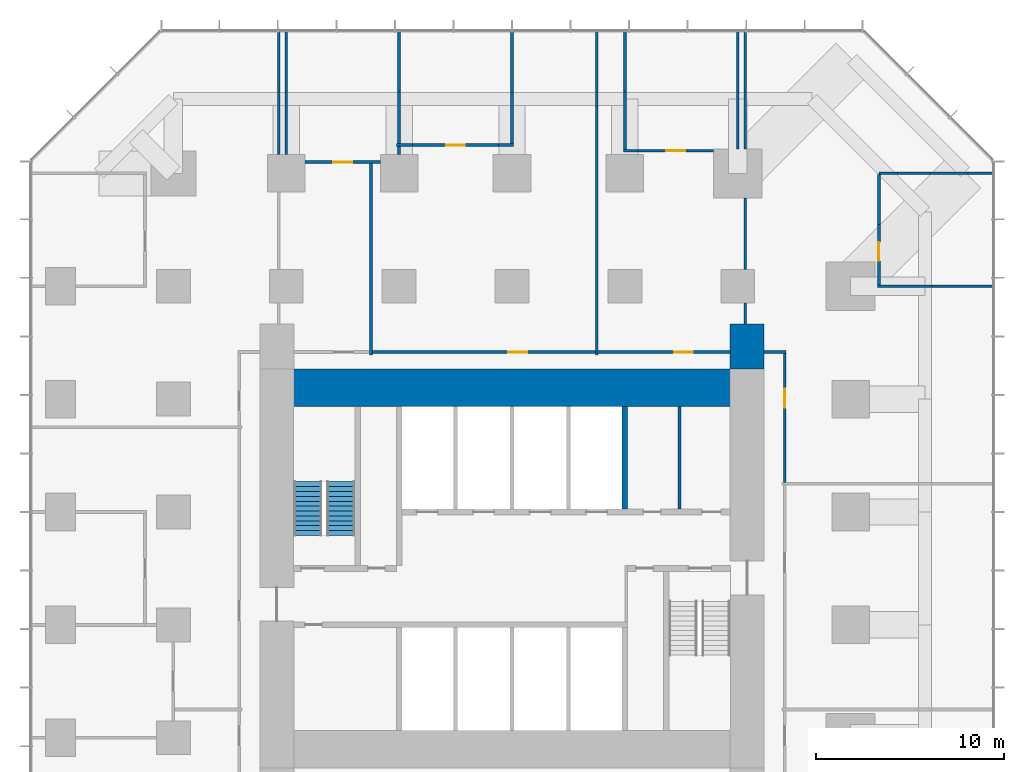
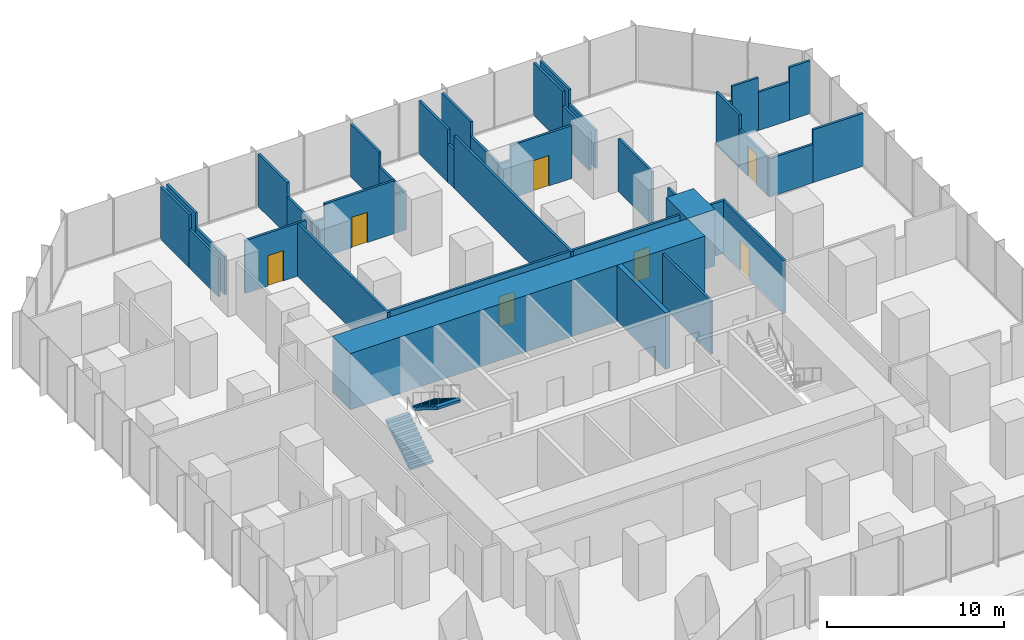
# One storey, part 10 of 12: 43 walls, 7 doors, 2 stair flights, 7 openings, 1 element without a shape of its own.
"""IFC4 building model written with IfcOpenShell, lengths in metres."""

from ifc_helpers import new_model, si_unit, direction, frame, frame_2d, origin, place, context, subcontext, project, spatial, polyline, rectangle, outline, extrude, material, layer, layer_set, type_object, element, fill, aggregate, save


model = new_model("IFC4")

# Units and contexts
model_context = context("Model", 3, precision=1e-05, world=origin(), true_north=direction((0.0, 1.0)))
body_context = subcontext(model_context, "Body", "Model", "MODEL_VIEW")
ifc_project = project(units=[si_unit("LENGTHUNIT", "METRE"), si_unit("AREAUNIT", "SQUARE_METRE"), si_unit("VOLUMEUNIT", "CUBIC_METRE"), si_unit("PLANEANGLEUNIT", "RADIAN"), si_unit("MASSUNIT", "GRAM", prefix="KILO")], contexts=[model_context])

# Site, building, storey
site_placement = place(None, origin())
site = spatial("IfcSite", under=ifc_project, at=site_placement, CompositionType="ELEMENT")
building_placement = place(site_placement, origin())
building = spatial("IfcBuilding", under=site, at=building_placement, Name="Highveld Stack Headquarters", CompositionType="ELEMENT")
storey_placement = place(building_placement, frame((0.0, 0.0, 65.0)))
storey = spatial("IfcBuildingStorey", under=building, at=storey_placement, Name="L15", CompositionType="ELEMENT", Elevation=65.0)

# Walls
ifc_material_1 = material(Name="Concrete C60/75", Category="concrete")
ifc_layer_1 = layer(ifc_material_1, 2.0)
ifc_layer_set_1 = layer_set([ifc_layer_1], Name="Concrete C60/75")
wall_type_1 = type_object("IfcWallType", Name="CORE WALL 2000 C60/75", PredefinedType="SHEAR", material=ifc_layer_set_1)
wall_1_placement = place(storey_placement, frame((-5.60009765625, 12.60009765625, 0.0), z_axis=(0.0, 0.0, 1.0), x_axis=(1.0, 0.0, 0.0)))
element("IfcWall", 1, at=wall_1_placement, inside=storey, type_object=wall_type_1, Name="Core wall N L15", PredefinedType="SHEAR", context=body_context, shape_type="SweptSolid", body=[
    extrude(rectangle(XDim=23.2001953125, YDim=2.0, at=frame_2d((11.60009765625, 0.0))), origin(), (0.0, 0.0, 1.0), 3.89990234375),
])
ifc_material_2 = material(Name="Concrete C60/75", Category="concrete")
ifc_layer_2 = layer(ifc_material_2, 0.300048828125)
ifc_layer_set_2 = layer_set([ifc_layer_2], Name="Concrete C60/75")
wall_type_2 = type_object("IfcWallType", Name="CORE WALL 300 C60/75", PredefinedType="SHEAR", material=ifc_layer_set_2)
wall_2_placement = place(storey_placement, frame((12.0, 6.14990234375, 0.0), z_axis=(0.0, 0.0, 1.0), x_axis=(0.0, 1.0, 0.0)))
element("IfcWall", 2, at=wall_2_placement, inside=storey, type_object=wall_type_2, Name="Core wall I-X12N L15", PredefinedType="SHEAR", context=body_context, shape_type="SweptSolid", body=[
    extrude(rectangle(XDim=5.4501953125, YDim=0.300048828125, at=frame_2d((2.72509765625, 0.0))), origin(), (0.0, 0.0, 1.0), 3.89990234375),
])
ifc_material_3 = material(Name="Concrete C60/75", Category="concrete")
ifc_layer_3 = layer(ifc_material_3, 1.800048828125)
ifc_layer_set_3 = layer_set([ifc_layer_3], Name="Concrete C60/75")
wall_type_3 = type_object("IfcWallType", Name="CORE WING WALL 1800 C60/75", PredefinedType="SHEAR", material=ifc_layer_set_3)
wall_3_placement = place(storey_placement, frame((18.5, 13.60009765625, 0.0), z_axis=(0.0, 0.0, 1.0), x_axis=(0.0, 1.0, 0.0)))
element("IfcWall", 3, at=wall_3_placement, inside=storey, type_object=wall_type_3, Name="Core wing wall EN L15", PredefinedType="SHEAR", context=body_context, shape_type="SweptSolid", body=[
    extrude(rectangle(XDim=2.39990234375, YDim=1.800048828125, at=frame_2d((1.199951171875, 0.0))), origin(), (0.0, 0.0, 1.0), 3.89990234375),
])

# Wall, opening, door
ifc_material_4 = material(Name="Laminated glass in aluminium frame", Category="aluminium")
ifc_layer_4 = layer(ifc_material_4, 0.14990234375)
ifc_layer_set_4 = layer_set([ifc_layer_4], Name="Laminated glass in aluminium frame")
wall_type_4 = type_object("IfcWallType", Name="GLAZED PARTITION 150", PredefinedType="PARTITIONING", material=ifc_layer_set_4)
wall_4_placement = place(storey_placement, frame((-5.0, 24.60009765625, 0.0), z_axis=(0.0, 0.0, 1.0), x_axis=(1.0, 0.0, 0.0)))
wall_4 = element("IfcWall", 4, at=wall_4_placement, inside=storey, type_object=wall_type_4, Name="Glazed partition Video conference room L15", PredefinedType="PARTITIONING", context=body_context, shape_type="SweptSolid", body=[
    extrude(rectangle(XDim=4.0, YDim=0.14990234375, at=frame_2d((2.0, 0.0))), origin(), (0.0, 0.0, 1.0), 3.64990234375),
])
opening_1_placement = place(wall_4_placement, frame((1.5, 0.0, 0.0)))
opening_1 = element("IfcOpeningElement", 5, at=opening_1_placement, cuts=wall_4, Name="Opening L15-15", PredefinedType="OPENING", context=body_context, shape_type="SweptSolid", body=[
    extrude(rectangle(XDim=1.0, YDim=2.10009765625, at=frame_2d((0.5, 1.050048828125))), frame((0.0, 0.0849609375, 0.0), z_axis=(0.0, -1.0, 0.0), x_axis=(1.0, 0.0, 0.0)), (0.0, 0.0, 1.0), 0.169921875),
])
ifc_material_5 = material(Name="Timber door, oiled ash", Category="wood")
door_type = type_object("IfcDoorType", Name="ROOM DOOR D6 1000x2100", OperationType="SINGLE_SWING_LEFT", PredefinedType="DOOR", material=ifc_material_5)
door_1_placement = place(opening_1_placement, origin())
door_1 = element("IfcDoor", 6, at=door_1_placement, inside=storey, type_object=door_type, Name="Video conference room door 1 L15", OperationType="SINGLE_SWING_LEFT", OverallHeight=2.10009765625, OverallWidth=1.0, PredefinedType="DOOR", context=body_context, shape_type="SweptSolid", body=[
    extrude(rectangle(XDim=1.0, YDim=2.10009765625, at=frame_2d((0.5, 1.050048828125))), frame((0.0, 0.02490234375, 0.0), z_axis=(0.0, -1.0, 0.0), x_axis=(1.0, 0.0, 0.0)), (0.0, 0.0, 1.0), 0.050048828125),
])
fill(opening_1, door_1)

# Walls
ifc_material_6 = material(Name="Gypsum plasterboard on steel studs", Category="steel")
ifc_layer_5 = layer(ifc_material_6, 0.14990234375)
ifc_layer_set_5 = layer_set([ifc_layer_5], Name="Gypsum plasterboard on steel studs")
wall_type_5 = type_object("IfcWallType", Name="PARTITION 150 PLASTERBOARD", PredefinedType="PARTITIONING", material=ifc_layer_set_5)
wall_5_placement = place(storey_placement, frame((25.425048828125, 18.0, 0.0), z_axis=(0.0, 0.0, 1.0), x_axis=(1.0, 0.0, 0.0)))
element("IfcWall", 7, at=wall_5_placement, inside=storey, type_object=wall_type_5, Name="Partition Quiet room L15", PredefinedType="PARTITIONING", context=body_context, shape_type="SweptSolid", body=[
    extrude(rectangle(XDim=2.885009765625, YDim=0.14990234375, at=frame_2d((1.4423828125, 0.0))), origin(), (0.0, 0.0, 1.0), 2.64990234375),
])
wall_6_placement = place(storey_placement, frame((28.31005859375, 18.0, 0.0), z_axis=(0.0, 0.0, 1.0), x_axis=(1.0, 0.0, 0.0)))
element("IfcWall", 8, at=wall_6_placement, inside=storey, type_object=wall_type_5, Name="Partition Quiet room L15", PredefinedType="PARTITIONING", context=body_context, shape_type="SweptSolid", body=[
    extrude(rectangle(XDim=3.2900390625, YDim=0.14990234375, at=frame_2d((1.64501953125, 0.0))), origin(), (0.0, 0.0, 1.0), 3.64990234375),
])
wall_7_placement = place(storey_placement, frame((25.5, 24.0, 0.0), z_axis=(0.0, 0.0, 1.0), x_axis=(1.0, 0.0, 0.0)))
element("IfcWall", 9, at=wall_7_placement, inside=storey, type_object=wall_type_5, Name="Partition Quiet room L15", PredefinedType="PARTITIONING", context=body_context, shape_type="SweptSolid", body=[
    extrude(rectangle(XDim=0.989990234375, YDim=0.14990234375, at=frame_2d((0.4951171875, 0.0))), origin(), (0.0, 0.0, 1.0), 2.64990234375),
])
wall_8_placement = place(storey_placement, frame((26.489990234375, 24.0, 0.0), z_axis=(0.0, 0.0, 1.0), x_axis=(1.0, 0.0, 0.0)))
element("IfcWall", 10, at=wall_8_placement, inside=storey, type_object=wall_type_5, Name="Partition Quiet room L15", PredefinedType="PARTITIONING", context=body_context, shape_type="SweptSolid", body=[
    extrude(rectangle(XDim=1.718017578125, YDim=0.14990234375, at=frame_2d((0.85888671875, 0.0))), origin(), (0.0, 0.0, 1.0), 3.64990234375),
])
wall_9_placement = place(storey_placement, frame((28.2080078125, 24.0, 0.0), z_axis=(0.0, 0.0, 1.0), x_axis=(1.0, 0.0, 0.0)))
element("IfcWall", 11, at=wall_9_placement, inside=storey, type_object=wall_type_5, Name="Partition Quiet room L15", PredefinedType="PARTITIONING", context=body_context, shape_type="SweptSolid", body=[
    extrude(rectangle(XDim=2.029052734375, YDim=0.14990234375, at=frame_2d((1.0146484375, 0.0))), origin(), (0.0, 0.0, 1.0), 2.64990234375),
])
wall_10_placement = place(storey_placement, frame((30.237060546875, 24.0, 0.0), z_axis=(0.0, 0.0, 1.0), x_axis=(1.0, 0.0, 0.0)))
element("IfcWall", 12, at=wall_10_placement, inside=storey, type_object=wall_type_5, Name="Partition Quiet room L15", PredefinedType="PARTITIONING", context=body_context, shape_type="SweptSolid", body=[
    extrude(rectangle(XDim=1.363037109375, YDim=0.14990234375, at=frame_2d((0.681640625, 0.0))), origin(), (0.0, 0.0, 1.0), 3.64990234375),
])
wall_11_placement = place(storey_placement, frame((11.925048828125, 25.199951171875, 0.0), z_axis=(0.0, 0.0, 1.0), x_axis=(1.0, 0.0, 0.0)))
element("IfcWall", 13, at=wall_11_placement, inside=storey, type_object=wall_type_5, Name="Partition Tea kitchen L15", PredefinedType="PARTITIONING", context=body_context, shape_type="SweptSolid", body=[
    extrude(rectangle(XDim=0.784912109375, YDim=0.14990234375, at=frame_2d((0.392578125, 0.0))), origin(), (0.0, 0.0, 1.0), 2.64990234375),
])

# Wall, opening, door
wall_12_placement = place(storey_placement, frame((12.7099609375, 25.199951171875, 0.0), z_axis=(0.0, 0.0, 1.0), x_axis=(1.0, 0.0, 0.0)))
wall_12 = element("IfcWall", 14, at=wall_12_placement, inside=storey, type_object=wall_type_5, Name="Partition Tea kitchen L15", PredefinedType="PARTITIONING", context=body_context, shape_type="SweptSolid", body=[
    extrude(rectangle(XDim=3.989990234375, YDim=0.14990234375, at=frame_2d((1.9951171875, 0.0))), origin(), (0.0, 0.0, 1.0), 3.64990234375),
])
opening_2_placement = place(wall_12_placement, frame((1.4951171875, 0.0, 0.0)))
opening_2 = element("IfcOpeningElement", 15, at=opening_2_placement, cuts=wall_12, Name="Opening L15-17", PredefinedType="OPENING", context=body_context, shape_type="SweptSolid", body=[
    extrude(rectangle(XDim=1.0, YDim=2.10009765625, at=frame_2d((0.5, 1.050048828125))), frame((0.0, 0.0849609375, 0.0), z_axis=(0.0, -1.0, 0.0), x_axis=(1.0, 0.0, 0.0)), (0.0, 0.0, 1.0), 0.169921875),
])
door_2_placement = place(opening_2_placement, origin())
door_2 = element("IfcDoor", 16, at=door_2_placement, inside=storey, type_object=door_type, Name="Tea kitchen door 1 L15", OperationType="SINGLE_SWING_LEFT", OverallHeight=2.10009765625, OverallWidth=1.0, PredefinedType="DOOR", context=body_context, shape_type="SweptSolid", body=[
    extrude(rectangle(XDim=1.0, YDim=2.10009765625, at=frame_2d((0.5, 1.050048828125))), frame((0.0, 0.02490234375, 0.0), z_axis=(0.0, -1.0, 0.0), x_axis=(1.0, 0.0, 0.0)), (0.0, 0.0, 1.0), 0.050048828125),
])
fill(opening_2, door_2)

# Wall
wall_13_placement = place(storey_placement, frame((-0.14990234375, 25.5, 0.0), z_axis=(0.0, 0.0, 1.0), x_axis=(1.0, 0.0, 0.0)))
element("IfcWall", 17, at=wall_13_placement, inside=storey, type_object=wall_type_5, Name="Partition Quiet room L15", PredefinedType="PARTITIONING", context=body_context, shape_type="SweptSolid", body=[
    extrude(rectangle(XDim=0.85986328125, YDim=0.14990234375, at=frame_2d((0.429931640625, 0.0))), origin(), (0.0, 0.0, 1.0), 2.64990234375),
])

# Wall, opening, door
wall_14_placement = place(storey_placement, frame((0.7099609375, 25.5, 0.0), z_axis=(0.0, 0.0, 1.0), x_axis=(1.0, 0.0, 0.0)))
wall_14 = element("IfcWall", 18, at=wall_14_placement, inside=storey, type_object=wall_type_5, Name="Partition Quiet room L15", PredefinedType="PARTITIONING", context=body_context, shape_type="SweptSolid", body=[
    extrude(rectangle(XDim=4.580078125, YDim=0.14990234375, at=frame_2d((2.2900390625, 0.0))), origin(), (0.0, 0.0, 1.0), 3.64990234375),
])
opening_3_placement = place(wall_14_placement, frame((1.7900390625, 0.0, 0.0)))
opening_3 = element("IfcOpeningElement", 19, at=opening_3_placement, cuts=wall_14, Name="Opening L15-16", PredefinedType="OPENING", context=body_context, shape_type="SweptSolid", body=[
    extrude(rectangle(XDim=1.0, YDim=2.10009765625, at=frame_2d((0.5, 1.050048828125))), frame((0.0, 0.0849609375, 0.0), z_axis=(0.0, -1.0, 0.0), x_axis=(1.0, 0.0, 0.0)), (0.0, 0.0, 1.0), 0.169921875),
])
door_3_placement = place(opening_3_placement, origin())
door_3 = element("IfcDoor", 20, at=door_3_placement, inside=storey, type_object=door_type, Name="Quiet room door 1 L15", OperationType="SINGLE_SWING_RIGHT", OverallHeight=2.10009765625, OverallWidth=1.0, PredefinedType="DOOR", context=body_context, shape_type="SweptSolid", body=[
    extrude(rectangle(XDim=1.0, YDim=2.10009765625, at=frame_2d((0.5, 1.050048828125))), frame((0.0, 0.02490234375, 0.0), z_axis=(0.0, -1.0, 0.0), x_axis=(1.0, 0.0, 0.0)), (0.0, 0.0, 1.0), 0.050048828125),
])
fill(opening_3, door_3)

# Walls
wall_15_placement = place(storey_placement, frame((5.2900390625, 25.5, 0.0), z_axis=(0.0, 0.0, 1.0), x_axis=(1.0, 0.0, 0.0)))
element("IfcWall", 21, at=wall_15_placement, inside=storey, type_object=wall_type_5, Name="Partition Quiet room L15", PredefinedType="PARTITIONING", context=body_context, shape_type="SweptSolid", body=[
    extrude(rectangle(XDim=0.784912109375, YDim=0.14990234375, at=frame_2d((0.392578125, 0.0))), origin(), (0.0, 0.0, 1.0), 2.64990234375),
])
wall_16_placement = place(storey_placement, frame((-6.0, 25.0, 0.0), z_axis=(0.0, 0.0, 1.0), x_axis=(0.0, 1.0, 0.0)))
element("IfcWall", 22, at=wall_16_placement, inside=storey, type_object=wall_type_5, Name="Partition Video conference room L15", PredefinedType="PARTITIONING", context=body_context, shape_type="SweptSolid", body=[
    extrude(rectangle(XDim=3.31005859375, YDim=0.14990234375, at=frame_2d((1.655029296875, 0.0))), origin(), (0.0, 0.0, 1.0), 2.64990234375),
])
wall_17_placement = place(storey_placement, frame((-6.0, 28.31005859375, 0.0), z_axis=(0.0, 0.0, 1.0), x_axis=(0.0, 1.0, 0.0)))
element("IfcWall", 23, at=wall_17_placement, inside=storey, type_object=wall_type_5, Name="Partition Video conference room L15", PredefinedType="PARTITIONING", context=body_context, shape_type="SweptSolid", body=[
    extrude(rectangle(XDim=3.2900390625, YDim=0.14990234375, at=frame_2d((1.64501953125, 0.0))), origin(), (0.0, 0.0, 1.0), 3.64990234375),
])
wall_18_placement = place(storey_placement, frame((0.0, 25.0, 0.0), z_axis=(0.0, 0.0, 1.0), x_axis=(0.0, 1.0, 0.0)))
element("IfcWall", 24, at=wall_18_placement, inside=storey, type_object=wall_type_5, Name="Partition Video conference room L15", PredefinedType="PARTITIONING", context=body_context, shape_type="SweptSolid", body=[
    extrude(rectangle(XDim=0.425048828125, YDim=0.14990234375, at=frame_2d((0.21240234375, 0.0))), origin(), (0.0, 0.0, 1.0), 2.64990234375),
])
wall_19_placement = place(storey_placement, frame((0.0, 25.574951171875, 0.0), z_axis=(0.0, 0.0, 1.0), x_axis=(0.0, 1.0, 0.0)))
element("IfcWall", 25, at=wall_19_placement, inside=storey, type_object=wall_type_5, Name="Partition Quiet room / Video conference room L15", PredefinedType="PARTITIONING", context=body_context, shape_type="SweptSolid", body=[
    extrude(rectangle(XDim=2.735107421875, YDim=0.14990234375, at=frame_2d((1.36767578125, 0.0))), origin(), (0.0, 0.0, 1.0), 2.64990234375),
])
wall_20_placement = place(storey_placement, frame((0.0, 28.31005859375, 0.0), z_axis=(0.0, 0.0, 1.0), x_axis=(0.0, 1.0, 0.0)))
element("IfcWall", 26, at=wall_20_placement, inside=storey, type_object=wall_type_5, Name="Partition Quiet room / Video conference room L15", PredefinedType="PARTITIONING", context=body_context, shape_type="SweptSolid", body=[
    extrude(rectangle(XDim=3.2900390625, YDim=0.14990234375, at=frame_2d((1.64501953125, 0.0))), origin(), (0.0, 0.0, 1.0), 3.64990234375),
])
wall_21_placement = place(storey_placement, frame((6.0, 25.574951171875, 0.0), z_axis=(0.0, 0.0, 1.0), x_axis=(0.0, 1.0, 0.0)))
element("IfcWall", 27, at=wall_21_placement, inside=storey, type_object=wall_type_5, Name="Partition Quiet room L15", PredefinedType="PARTITIONING", context=body_context, shape_type="SweptSolid", body=[
    extrude(rectangle(XDim=2.735107421875, YDim=0.14990234375, at=frame_2d((1.36767578125, 0.0))), origin(), (0.0, 0.0, 1.0), 2.64990234375),
])
wall_22_placement = place(storey_placement, frame((6.0, 28.31005859375, 0.0), z_axis=(0.0, 0.0, 1.0), x_axis=(0.0, 1.0, 0.0)))
element("IfcWall", 28, at=wall_22_placement, inside=storey, type_object=wall_type_5, Name="Partition Quiet room L15", PredefinedType="PARTITIONING", context=body_context, shape_type="SweptSolid", body=[
    extrude(rectangle(XDim=3.239990234375, YDim=0.14990234375, at=frame_2d((1.6201171875, 0.0))), origin(), (0.0, 0.0, 1.0), 3.64990234375),
])
wall_23_placement = place(storey_placement, frame((12.0, 25.27490234375, 0.0), z_axis=(0.0, 0.0, 1.0), x_axis=(0.0, 1.0, 0.0)))
element("IfcWall", 29, at=wall_23_placement, inside=storey, type_object=wall_type_5, Name="Partition Tea kitchen L15", PredefinedType="PARTITIONING", context=body_context, shape_type="SweptSolid", body=[
    extrude(rectangle(XDim=3.03515625, YDim=0.14990234375, at=frame_2d((1.517578125, 0.0))), origin(), (0.0, 0.0, 1.0), 2.64990234375),
])
wall_24_placement = place(storey_placement, frame((12.0, 28.31005859375, 0.0), z_axis=(0.0, 0.0, 1.0), x_axis=(0.0, 1.0, 0.0)))
element("IfcWall", 30, at=wall_24_placement, inside=storey, type_object=wall_type_5, Name="Partition Tea kitchen L15", PredefinedType="PARTITIONING", context=body_context, shape_type="SweptSolid", body=[
    extrude(rectangle(XDim=3.2900390625, YDim=0.14990234375, at=frame_2d((1.64501953125, 0.0))), origin(), (0.0, 0.0, 1.0), 3.64990234375),
])
wall_25_placement = place(storey_placement, frame((18.0, 25.300048828125, 0.0), z_axis=(0.0, 0.0, 1.0), x_axis=(0.0, 1.0, 0.0)))
element("IfcWall", 31, at=wall_25_placement, inside=storey, type_object=wall_type_5, Name="Partition Tea kitchen L15", PredefinedType="PARTITIONING", context=body_context, shape_type="SweptSolid", body=[
    extrude(rectangle(XDim=3.010009765625, YDim=0.14990234375, at=frame_2d((1.5048828125, 0.0))), origin(), (0.0, 0.0, 1.0), 2.64990234375),
])
wall_26_placement = place(storey_placement, frame((18.0, 28.31005859375, 0.0), z_axis=(0.0, 0.0, 1.0), x_axis=(0.0, 1.0, 0.0)))
element("IfcWall", 32, at=wall_26_placement, inside=storey, type_object=wall_type_5, Name="Partition Tea kitchen L15", PredefinedType="PARTITIONING", context=body_context, shape_type="SweptSolid", body=[
    extrude(rectangle(XDim=3.2900390625, YDim=0.14990234375, at=frame_2d((1.64501953125, 0.0))), origin(), (0.0, 0.0, 1.0), 3.64990234375),
])

# Wall, opening, door
wall_27_placement = place(storey_placement, frame((25.5, 18.074951171875, 0.0), z_axis=(0.0, 0.0, 1.0), x_axis=(0.0, 1.0, 0.0)))
wall_27 = element("IfcWall", 33, at=wall_27_placement, inside=storey, type_object=wall_type_5, Name="Partition Quiet room L15", PredefinedType="PARTITIONING", context=body_context, shape_type="SweptSolid", body=[
    extrude(rectangle(XDim=3.217041015625, YDim=0.14990234375, at=frame_2d((1.6083984375, 0.0))), origin(), (0.0, 0.0, 1.0), 2.64990234375),
])
opening_4_placement = place(wall_27_placement, frame((1.27490234375, 0.0, 0.0)))
opening_4 = element("IfcOpeningElement", 34, at=opening_4_placement, cuts=wall_27, Name="Opening L15-14", PredefinedType="OPENING", context=body_context, shape_type="SweptSolid", body=[
    extrude(rectangle(XDim=1.0, YDim=2.10009765625, at=frame_2d((0.5, 1.050048828125))), frame((0.0, 0.0849609375, 0.0), z_axis=(0.0, -1.0, 0.0), x_axis=(1.0, 0.0, 0.0)), (0.0, 0.0, 1.0), 0.169921875),
])
door_4_placement = place(opening_4_placement, origin())
door_4 = element("IfcDoor", 35, at=door_4_placement, inside=storey, type_object=door_type, Name="Quiet room door 1 L15", OperationType="SINGLE_SWING_RIGHT", OverallHeight=2.10009765625, OverallWidth=1.0, PredefinedType="DOOR", context=body_context, shape_type="SweptSolid", body=[
    extrude(rectangle(XDim=1.0, YDim=2.10009765625, at=frame_2d((0.5, 1.050048828125))), frame((0.0, 0.02490234375, 0.0), z_axis=(0.0, -1.0, 0.0), x_axis=(1.0, 0.0, 0.0)), (0.0, 0.0, 1.0), 0.050048828125),
])
fill(opening_4, door_4)

# Walls
wall_28_placement = place(storey_placement, frame((25.5, 21.2919921875, 0.0), z_axis=(0.0, 0.0, 1.0), x_axis=(0.0, 1.0, 0.0)))
element("IfcWall", 36, at=wall_28_placement, inside=storey, type_object=wall_type_5, Name="Partition Quiet room L15", PredefinedType="PARTITIONING", context=body_context, shape_type="SweptSolid", body=[
    extrude(rectangle(XDim=2.64306640625, YDim=0.14990234375, at=frame_2d((1.321533203125, 0.0))), origin(), (0.0, 0.0, 1.0), 3.64990234375),
])
wall_29_placement = place(storey_placement, frame((-6.39990234375, 25.0, 0.0), z_axis=(0.0, 0.0, 1.0), x_axis=(0.0, 1.0, 0.0)))
element("IfcWall", 37, at=wall_29_placement, inside=storey, type_object=wall_type_5, Name="Partition office neighbourhood L15", PredefinedType="PARTITIONING", context=body_context, shape_type="SweptSolid", body=[
    extrude(rectangle(XDim=3.31005859375, YDim=0.14990234375, at=frame_2d((1.655029296875, 0.0))), origin(), (0.0, 0.0, 1.0), 2.64990234375),
])
wall_30_placement = place(storey_placement, frame((-6.39990234375, 28.31005859375, 0.0), z_axis=(0.0, 0.0, 1.0), x_axis=(0.0, 1.0, 0.0)))
element("IfcWall", 38, at=wall_30_placement, inside=storey, type_object=wall_type_5, Name="Partition office neighbourhood L15", PredefinedType="PARTITIONING", context=body_context, shape_type="SweptSolid", body=[
    extrude(rectangle(XDim=3.239990234375, YDim=0.14990234375, at=frame_2d((1.6201171875, 0.0))), origin(), (0.0, 0.0, 1.0), 3.64990234375),
])
wall_31_placement = place(storey_placement, frame((-1.5, 14.35009765625, 0.0), z_axis=(0.0, 0.0, 1.0), x_axis=(0.0, 1.0, 0.0)))
element("IfcWall", 39, at=wall_31_placement, inside=storey, type_object=wall_type_5, Name="Partition office neighbourhood L15", PredefinedType="PARTITIONING", context=body_context, shape_type="SweptSolid", body=[
    extrude(rectangle(XDim=10.1748046875, YDim=0.14990234375, at=frame_2d((5.08740234375, 0.0))), origin(), (0.0, 0.0, 1.0), 3.64990234375),
])

# Wall, opening, door
wall_32_placement = place(storey_placement, frame((-1.425048828125, 14.5, 0.0), z_axis=(0.0, 0.0, 1.0), x_axis=(1.0, 0.0, 0.0)))
wall_32 = element("IfcWall", 40, at=wall_32_placement, inside=storey, type_object=wall_type_5, Name="Partition office neighbourhood L15", PredefinedType="PARTITIONING", context=body_context, shape_type="SweptSolid", body=[
    extrude(rectangle(XDim=11.85009765625, YDim=0.14990234375, at=frame_2d((5.925048828125, 0.0))), origin(), (0.0, 0.0, 1.0), 3.64990234375),
])
opening_5_placement = place(wall_32_placement, frame((7.22509765625, 0.0, 0.0)))
opening_5 = element("IfcOpeningElement", 41, at=opening_5_placement, cuts=wall_32, Name="Opening L15-28", PredefinedType="OPENING", context=body_context, shape_type="SweptSolid", body=[
    extrude(rectangle(XDim=1.0, YDim=2.10009765625, at=frame_2d((0.5, 1.050048828125))), frame((0.0, 0.0849609375, 0.0), z_axis=(0.0, -1.0, 0.0), x_axis=(1.0, 0.0, 0.0)), (0.0, 0.0, 1.0), 0.169921875),
])
door_5_placement = place(opening_5_placement, origin())
door_5 = element("IfcDoor", 42, at=door_5_placement, inside=storey, type_object=door_type, Name="Office neighbourhood door L15", OperationType="SINGLE_SWING_RIGHT", OverallHeight=2.10009765625, OverallWidth=1.0, PredefinedType="DOOR", context=body_context, shape_type="SweptSolid", body=[
    extrude(rectangle(XDim=1.0, YDim=2.10009765625, at=frame_2d((0.5, 1.050048828125))), frame((0.0, 0.02490234375, 0.0), z_axis=(0.0, -1.0, 0.0), x_axis=(1.0, 0.0, 0.0)), (0.0, 0.0, 1.0), 0.050048828125),
])
fill(opening_5, door_5)

# Walls
wall_33_placement = place(storey_placement, frame((10.5, 14.35009765625, 0.0), z_axis=(0.0, 0.0, 1.0), x_axis=(0.0, 1.0, 0.0)))
element("IfcWall", 43, at=wall_33_placement, inside=storey, type_object=wall_type_5, Name="Partition office neighbourhood L15", PredefinedType="PARTITIONING", context=body_context, shape_type="SweptSolid", body=[
    extrude(rectangle(XDim=13.239990234375, YDim=0.14990234375, at=frame_2d((6.6201171875, 0.0))), origin(), (0.0, 0.0, 1.0), 3.64990234375),
])
wall_34_placement = place(storey_placement, frame((10.5, 27.590087890625, 0.0), z_axis=(0.0, 0.0, 1.0), x_axis=(0.0, 1.0, 0.0)))
element("IfcWall", 44, at=wall_34_placement, inside=storey, type_object=wall_type_5, Name="Partition office neighbourhood L15", PredefinedType="PARTITIONING", context=body_context, shape_type="SweptSolid", body=[
    extrude(rectangle(XDim=0.719970703125, YDim=0.14990234375, at=frame_2d((0.35986328125, 0.0))), origin(), (0.0, 0.0, 1.0), 2.64990234375),
])
wall_35_placement = place(storey_placement, frame((10.5, 28.31005859375, 0.0), z_axis=(0.0, 0.0, 1.0), x_axis=(0.0, 1.0, 0.0)))
element("IfcWall", 45, at=wall_35_placement, inside=storey, type_object=wall_type_5, Name="Partition office neighbourhood L15", PredefinedType="PARTITIONING", context=body_context, shape_type="SweptSolid", body=[
    extrude(rectangle(XDim=3.2900390625, YDim=0.14990234375, at=frame_2d((1.64501953125, 0.0))), origin(), (0.0, 0.0, 1.0), 3.64990234375),
])

# Wall, opening, door
wall_36_placement = place(storey_placement, frame((10.574951171875, 14.5, 0.0), z_axis=(0.0, 0.0, 1.0), x_axis=(1.0, 0.0, 0.0)))
wall_36 = element("IfcWall", 46, at=wall_36_placement, inside=storey, type_object=wall_type_5, Name="Partition office neighbourhood L15", PredefinedType="PARTITIONING", context=body_context, shape_type="SweptSolid", body=[
    extrude(rectangle(XDim=7.025146484375, YDim=0.14990234375, at=frame_2d((3.5126953125, 0.0))), origin(), (0.0, 0.0, 1.0), 3.64990234375),
])
opening_6_placement = place(wall_36_placement, frame((4.0400390625, 0.0, 0.0)))
opening_6 = element("IfcOpeningElement", 47, at=opening_6_placement, cuts=wall_36, Name="Opening L15-27", PredefinedType="OPENING", context=body_context, shape_type="SweptSolid", body=[
    extrude(rectangle(XDim=1.0, YDim=2.10009765625, at=frame_2d((0.5, 1.050048828125))), frame((0.0, 0.0849609375, 0.0), z_axis=(0.0, -1.0, 0.0), x_axis=(1.0, 0.0, 0.0)), (0.0, 0.0, 1.0), 0.169921875),
])
door_6_placement = place(opening_6_placement, origin())
door_6 = element("IfcDoor", 48, at=door_6_placement, inside=storey, type_object=door_type, Name="Office neighbourhood door L15", OperationType="SINGLE_SWING_RIGHT", OverallHeight=2.10009765625, OverallWidth=1.0, PredefinedType="DOOR", context=body_context, shape_type="SweptSolid", body=[
    extrude(rectangle(XDim=1.0, YDim=2.10009765625, at=frame_2d((0.5, 1.050048828125))), frame((0.0, 0.02490234375, 0.0), z_axis=(0.0, -1.0, 0.0), x_axis=(1.0, 0.0, 0.0)), (0.0, 0.0, 1.0), 0.050048828125),
])
fill(opening_6, door_6)

# Walls
wall_37_placement = place(storey_placement, frame((18.39990234375, 16.0, 0.0), z_axis=(0.0, 0.0, 1.0), x_axis=(0.0, 1.0, 0.0)))
element("IfcWall", 49, at=wall_37_placement, inside=storey, type_object=wall_type_5, Name="Partition office neighbourhood L15", PredefinedType="PARTITIONING", context=body_context, shape_type="SweptSolid", body=[
    extrude(rectangle(XDim=1.10009765625, YDim=0.14990234375, at=frame_2d((0.550048828125, 0.0))), origin(), (0.0, 0.0, 1.0), 3.64990234375),
])
wall_38_placement = place(storey_placement, frame((18.39990234375, 18.89990234375, 0.0), z_axis=(0.0, 0.0, 1.0), x_axis=(0.0, 1.0, 0.0)))
element("IfcWall", 50, at=wall_38_placement, inside=storey, type_object=wall_type_5, Name="Partition office neighbourhood L15", PredefinedType="PARTITIONING", context=body_context, shape_type="SweptSolid", body=[
    extrude(rectangle(XDim=3.800048828125, YDim=0.14990234375, at=frame_2d((1.89990234375, 0.0))), origin(), (0.0, 0.0, 1.0), 3.64990234375),
])
wall_39_placement = place(storey_placement, frame((18.39990234375, 25.300048828125, 0.0), z_axis=(0.0, 0.0, 1.0), x_axis=(0.0, 1.0, 0.0)))
element("IfcWall", 51, at=wall_39_placement, inside=storey, type_object=wall_type_5, Name="Partition office neighbourhood L15", PredefinedType="PARTITIONING", context=body_context, shape_type="SweptSolid", body=[
    extrude(rectangle(XDim=3.010009765625, YDim=0.14990234375, at=frame_2d((1.5048828125, 0.0))), origin(), (0.0, 0.0, 1.0), 2.64990234375),
])
wall_40_placement = place(storey_placement, frame((18.39990234375, 28.31005859375, 0.0), z_axis=(0.0, 0.0, 1.0), x_axis=(0.0, 1.0, 0.0)))
element("IfcWall", 52, at=wall_40_placement, inside=storey, type_object=wall_type_5, Name="Partition office neighbourhood L15", PredefinedType="PARTITIONING", context=body_context, shape_type="SweptSolid", body=[
    extrude(rectangle(XDim=3.239990234375, YDim=0.14990234375, at=frame_2d((1.6201171875, 0.0))), origin(), (0.0, 0.0, 1.0), 3.64990234375),
])
wall_41_placement = place(storey_placement, frame((19.39990234375, 14.5, 0.0), z_axis=(0.0, 0.0, 1.0), x_axis=(1.0, 0.0, 0.0)))
element("IfcWall", 53, at=wall_41_placement, inside=storey, type_object=wall_type_5, Name="Partition office neighbourhood L15", PredefinedType="PARTITIONING", context=body_context, shape_type="SweptSolid", body=[
    extrude(rectangle(XDim=1.175048828125, YDim=0.14990234375, at=frame_2d((0.58740234375, 0.0))), origin(), (0.0, 0.0, 1.0), 3.64990234375),
])

# Wall, opening, door
wall_42_placement = place(storey_placement, frame((20.5, 7.574951171875, 0.0), z_axis=(0.0, 0.0, 1.0), x_axis=(0.0, 1.0, 0.0)))
wall_42 = element("IfcWall", 54, at=wall_42_placement, inside=storey, type_object=wall_type_5, Name="Partition office neighbourhood L15", PredefinedType="PARTITIONING", context=body_context, shape_type="SweptSolid", body=[
    extrude(rectangle(XDim=6.85009765625, YDim=0.14990234375, at=frame_2d((3.425048828125, 0.0))), origin(), (0.0, 0.0, 1.0), 3.64990234375),
])
opening_7_placement = place(wall_42_placement, frame((3.97509765625, 0.0, 0.0)))
opening_7 = element("IfcOpeningElement", 55, at=opening_7_placement, cuts=wall_42, Name="Opening L15-22", PredefinedType="OPENING", context=body_context, shape_type="SweptSolid", body=[
    extrude(rectangle(XDim=1.0, YDim=2.10009765625, at=frame_2d((0.5, 1.050048828125))), frame((0.0, 0.0849609375, 0.0), z_axis=(0.0, -1.0, 0.0), x_axis=(1.0, 0.0, 0.0)), (0.0, 0.0, 1.0), 0.169921875),
])
door_7_placement = place(opening_7_placement, origin())
door_7 = element("IfcDoor", 56, at=door_7_placement, inside=storey, type_object=door_type, Name="Office neighbourhood door L15", OperationType="SINGLE_SWING_RIGHT", OverallHeight=2.10009765625, OverallWidth=1.0, PredefinedType="DOOR", context=body_context, shape_type="SweptSolid", body=[
    extrude(rectangle(XDim=1.0, YDim=2.10009765625, at=frame_2d((0.5, 1.050048828125))), frame((0.0, 0.02490234375, 0.0), z_axis=(0.0, -1.0, 0.0), x_axis=(1.0, 0.0, 0.0)), (0.0, 0.0, 1.0), 0.050048828125),
])
fill(opening_7, door_7)

# Wall
ifc_material_7 = material(Name="Concrete blockwork, tiled", Category="masonry")
ifc_layer_6 = layer(ifc_material_7, 0.14990234375)
ifc_layer_set_6 = layer_set([ifc_layer_6], Name="Concrete blockwork, tiled")
wall_type_6 = type_object("IfcWallType", Name="WC PARTITION 150", PredefinedType="PLUMBINGWALL", material=ifc_layer_set_6)
wall_43_placement = place(storey_placement, frame((14.89990234375, 6.14990234375, 0.0), z_axis=(0.0, 0.0, 1.0), x_axis=(0.0, 1.0, 0.0)))
element("IfcWall", 57, at=wall_43_placement, inside=storey, type_object=wall_type_6, Name="Toilet partition L15", PredefinedType="PLUMBINGWALL", context=body_context, shape_type="SweptSolid", body=[
    extrude(rectangle(XDim=5.4501953125, YDim=0.14990234375, at=frame_2d((2.72509765625, 0.0))), origin(), (0.0, 0.0, 1.0), 3.64990234375),
])

# Stair, stair flights
ifc_material_8 = material(Name="Concrete C40/50, precast", Category="concrete")
stair_type = type_object("IfcStairType", Name="STAIR S1 HALF TURN 1500", PredefinedType="HALF_TURN_STAIR", material=ifc_material_8)
stair_placement = place(storey_placement, origin())
stair = element("IfcStair", 58, at=stair_placement, inside=storey, type_object=stair_type, Name="Stair S1 L15", PredefinedType="HALF_TURN_STAIR")
ifc_material_9 = material(Name="Concrete C40/50, precast", Category="concrete")
stair_flight_type = type_object("IfcStairFlightType", Name="STAIR FLIGHT 1500 PRECAST", PredefinedType="STRAIGHT", material=ifc_material_9)
stair_flight_1_placement = place(storey_placement, frame((-4.85009765625, 4.75, 0.0), z_axis=(0.0, 0.0, 1.0), x_axis=(0.0, 1.0, 0.0)))
stair_flight_1 = element("IfcStairFlight", 59, at=stair_flight_1_placement, type_object=stair_flight_type, Name="S1 flight 1", NumberOfRisers=12, NumberOfTreads=11, PredefinedType="STRAIGHT", RiserHeight=0.1625, TreadLength=0.26, context=body_context, shape_type="SweptSolid", body=[
    extrude(outline(polyline([(0.0, 0.0), (0.0, 0.16259765625), (0.260009765625, 0.16259765625), (0.260009765625, 0.324951171875), (0.52001953125, 0.324951171875), (0.52001953125, 0.487548828125), (0.780029296875, 0.487548828125), (0.780029296875, 0.64990234375), (1.0400390625, 0.64990234375), (1.0400390625, 0.8125), (1.300048828125, 0.8125), (1.300048828125, 0.97509765625), (1.56005859375, 0.97509765625), (1.56005859375, 1.137451171875), (1.820068359375, 1.137451171875), (1.820068359375, 1.300048828125), (2.080078125, 1.300048828125), (2.080078125, 1.46240234375), (2.340087890625, 1.46240234375), (2.340087890625, 1.625), (2.60009765625, 1.625), (2.60009765625, 1.78759765625), (2.860107421875, 1.78759765625), (2.860107421875, 1.949951171875), (2.860107421875, 1.61083984375), (0.28271484375, 0.0), (0.0, 0.0)])), frame((0.0, 0.75, 0.0), z_axis=(0.0, -1.0, 0.0), x_axis=(1.0, 0.0, 0.0)), (0.0, 0.0, 1.0), 1.5),
])
stair_flight_2_placement = place(storey_placement, frame((-3.10009765625, 7.610107421875, 1.949951171875), z_axis=(0.0, 0.0, 1.0), x_axis=(0.0, -1.0, 0.0)))
stair_flight_2 = element("IfcStairFlight", 60, at=stair_flight_2_placement, type_object=stair_flight_type, Name="S1 flight 2", NumberOfRisers=12, NumberOfTreads=11, PredefinedType="STRAIGHT", RiserHeight=0.1625, TreadLength=0.26, context=body_context, shape_type="SweptSolid", body=[
    extrude(outline(polyline([(0.0, 0.0), (0.0, 0.16259765625), (0.260009765625, 0.16259765625), (0.260009765625, 0.324951171875), (0.52001953125, 0.324951171875), (0.52001953125, 0.487548828125), (0.780029296875, 0.487548828125), (0.780029296875, 0.64990234375), (1.0400390625, 0.64990234375), (1.0400390625, 0.8125), (1.300048828125, 0.8125), (1.300048828125, 0.97509765625), (1.56005859375, 0.97509765625), (1.56005859375, 1.137451171875), (1.820068359375, 1.137451171875), (1.820068359375, 1.300048828125), (2.080078125, 1.300048828125), (2.080078125, 1.46240234375), (2.340087890625, 1.46240234375), (2.340087890625, 1.625), (2.60009765625, 1.625), (2.60009765625, 1.78759765625), (2.860107421875, 1.78759765625), (2.860107421875, 1.949951171875), (2.860107421875, 1.61083984375), (0.28271484375, 0.0), (0.0, 0.0)])), frame((0.0, 0.75, 0.0), z_axis=(0.0, -1.0, 0.0), x_axis=(1.0, 0.0, 0.0)), (0.0, 0.0, 1.0), 1.5),
])
aggregate(stair, [stair_flight_1, stair_flight_2])

save(model, "model.ifc")
